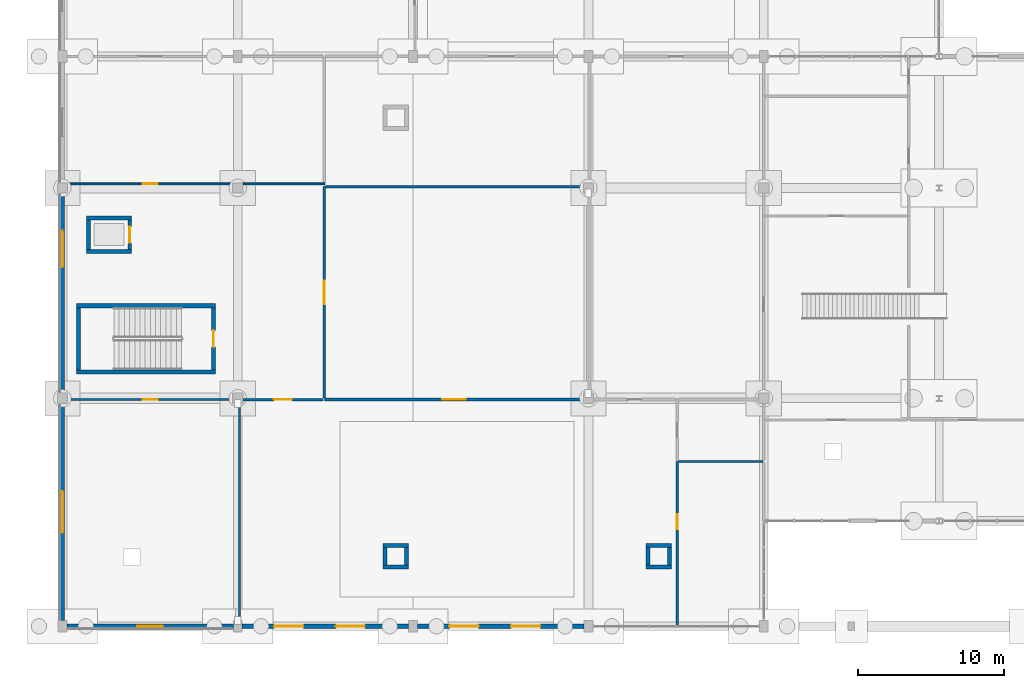
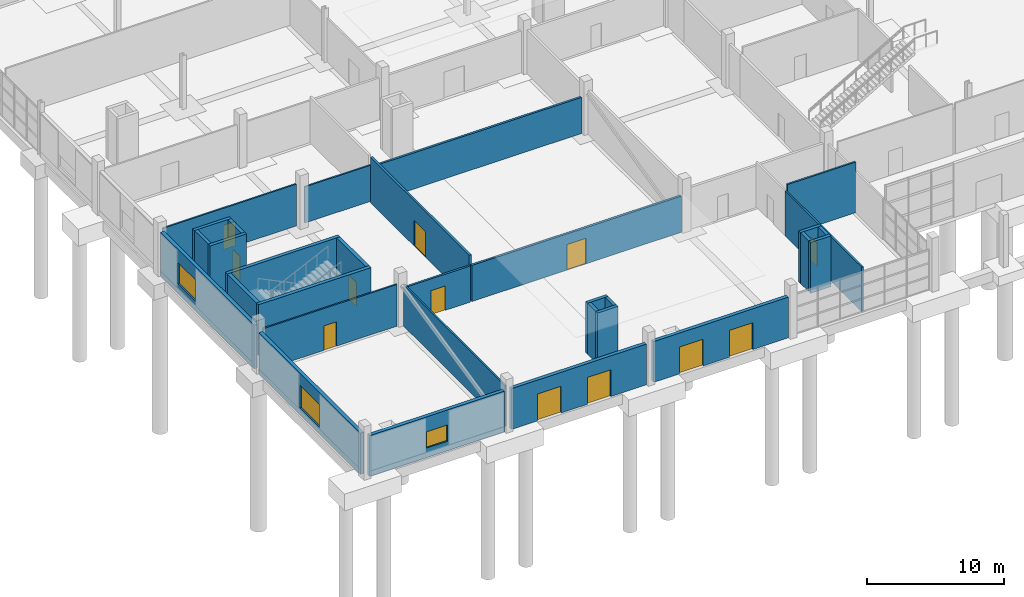
# One storey, part 54 of 82: 31 walls, 12 doors, 3 windows, 15 openings.
"""IFC4 building model written with IfcOpenShell, lengths in metres."""

from ifc_helpers import new_model, si_unit, direction, frame, frame_2d, origin, place, context, subcontext, project, spatial, rectangle, extrude, material, layer, layer_set, type_object, element, fill, save


model = new_model("IFC4")

# Units and contexts
model_context = context("Model", 3, precision=1e-05, world=origin(), true_north=direction((0.0, 1.0)))
body_context = subcontext(model_context, "Body", "Model", "MODEL_VIEW")
ifc_project = project(units=[si_unit("LENGTHUNIT", "METRE"), si_unit("AREAUNIT", "SQUARE_METRE"), si_unit("VOLUMEUNIT", "CUBIC_METRE"), si_unit("PLANEANGLEUNIT", "RADIAN"), si_unit("MASSUNIT", "GRAM", prefix="KILO")], contexts=[model_context])

# Site, building, storey
site_placement = place(None, origin())
site = spatial("IfcSite", under=ifc_project, at=site_placement, CompositionType="ELEMENT")
building_placement = place(site_placement, origin())
building = spatial("IfcBuilding", under=site, at=building_placement, Name="Kelmvaro Bay Concert Hall", CompositionType="ELEMENT")
storey_placement = place(building_placement, origin())
storey = spatial("IfcBuildingStorey", under=building, at=storey_placement, Name="L00", CompositionType="ELEMENT", Elevation=0.0)

# Wall
ifc_material_1 = material(Name="Acoustic Gypsum Board on Galvanised Steel Studs", Category="steel")
ifc_layer_1 = layer(ifc_material_1, 0.1298828125)
ifc_layer_set_1 = layer_set([ifc_layer_1], Name="Acoustic Gypsum Board on Galvanised Steel Studs")
wall_type_1 = type_object("IfcWallType", Name="Classroom Acoustic Partition 130", PredefinedType="PARTITIONING", material=ifc_layer_set_1)
wall_1_placement = place(storey_placement, frame((12.1201171875, 0.407958984375, 0.0), z_axis=(0.0, 0.0, 1.0), x_axis=(0.0, 1.0, 0.0)))
element("IfcWall", 1, at=wall_1_placement, inside=storey, type_object=wall_type_1, Name="L00 Interior Partition PT-L00-0055", PredefinedType="PARTITIONING", context=body_context, shape_type="SweptSolid", body=[
    extrude(rectangle(XDim=14.833984375, YDim=0.1298828125, at=frame_2d((7.4169921875, 0.0))), origin(), (0.0, 0.0, 1.0), 3.68408203125),
])

# Wall, opening, door
wall_2_placement = place(storey_placement, frame((0.35791015625, 15.52001953125, 0.0), z_axis=(0.0, 0.0, 1.0), x_axis=(1.0, 0.0, 0.0)))
wall_2 = element("IfcWall", 2, at=wall_2_placement, inside=storey, type_object=wall_type_1, Name="L00 Interior Partition PT-L00-0059", PredefinedType="PARTITIONING", context=body_context, shape_type="SweptSolid", body=[
    extrude(rectangle(XDim=11.2841796875, YDim=0.1298828125, at=frame_2d((5.64208984375, 0.0))), origin(), (0.0, 0.0, 1.0), 3.72998046875),
])
opening_1_placement = place(wall_2_placement, frame((5.126953125, 0.0, 0.0)))
opening_1 = element("IfcOpeningElement", 3, at=opening_1_placement, cuts=wall_2, Name="Opening ID-ED1", PredefinedType="OPENING", context=body_context, shape_type="SweptSolid", body=[
    extrude(rectangle(XDim=1.030029296875, YDim=2.179931640625, at=frame_2d((0.51513671875, 1.08984375))), frame((0.0, 0.074951171875, 0.0), z_axis=(0.0, -1.0, 0.0), x_axis=(1.0, 0.0, 0.0)), (0.0, 0.0, 1.0), 0.14990234375),
])
ifc_material_2 = material(Name="Oak Veneer and Acoustic Glass", Category="glass")
door_type_1 = type_object("IfcDoorType", Name="Classroom Vision-Lite Door 1030x2180", OperationType="NOTDEFINED", PredefinedType="DOOR", material=ifc_material_2)
door_1_placement = place(opening_1_placement, origin())
door_1 = element("IfcDoor", 4, at=door_1_placement, inside=storey, type_object=door_type_1, Name="L00 Interior Door DR-INT-L00-0042", OperationType="SINGLE_SWING_RIGHT", OverallHeight=2.179931640625, OverallWidth=1.030029296875, PredefinedType="DOOR", context=body_context, shape_type="SweptSolid", body=[
    extrude(rectangle(XDim=1.030029296875, YDim=2.179931640625, at=frame_2d((0.51513671875, 1.08984375))), frame((0.0, 0.02490234375, 0.0), z_axis=(0.0, -1.0, 0.0), x_axis=(1.0, 0.0, 0.0)), (0.0, 0.0, 1.0), 0.050048828125),
])
fill(opening_1, door_1)

wall_3_placement = place(storey_placement, frame((0.35791015625, 30.280029296875, 0.0), z_axis=(0.0, 0.0, 1.0), x_axis=(1.0, 0.0, 0.0)))
wall_3 = element("IfcWall", 5, at=wall_3_placement, inside=storey, type_object=wall_type_1, Name="L00 Interior Partition PT-L00-0060", PredefinedType="PARTITIONING", context=body_context, shape_type="SweptSolid", body=[
    extrude(rectangle(XDim=11.2841796875, YDim=0.1298828125, at=frame_2d((5.64208984375, 0.0))), origin(), (0.0, 0.0, 1.0), 3.72998046875),
])
opening_2_placement = place(wall_3_placement, frame((5.126953125, 0.0, 0.0)))
opening_2 = element("IfcOpeningElement", 6, at=opening_2_placement, cuts=wall_3, Name="Opening ID-ED1", PredefinedType="OPENING", context=body_context, shape_type="SweptSolid", body=[
    extrude(rectangle(XDim=1.030029296875, YDim=2.179931640625, at=frame_2d((0.51513671875, 1.08984375))), frame((0.0, 0.074951171875, 0.0), z_axis=(0.0, -1.0, 0.0), x_axis=(1.0, 0.0, 0.0)), (0.0, 0.0, 1.0), 0.14990234375),
])
door_2_placement = place(opening_2_placement, origin())
door_2 = element("IfcDoor", 7, at=door_2_placement, inside=storey, type_object=door_type_1, Name="L00 Interior Door DR-INT-L00-0043", OperationType="SINGLE_SWING_LEFT", OverallHeight=2.179931640625, OverallWidth=1.030029296875, PredefinedType="DOOR", context=body_context, shape_type="SweptSolid", body=[
    extrude(rectangle(XDim=1.030029296875, YDim=2.179931640625, at=frame_2d((0.51513671875, 1.08984375))), frame((0.0, 0.02490234375, 0.0), z_axis=(0.0, -1.0, 0.0), x_axis=(1.0, 0.0, 0.0)), (0.0, 0.0, 1.0), 0.050048828125),
])
fill(opening_2, door_2)

# Wall
wall_4_placement = place(storey_placement, frame((12.35791015625, 30.280029296875, 0.0), z_axis=(0.0, 0.0, 1.0), x_axis=(1.0, 0.0, 0.0)))
element("IfcWall", 8, at=wall_4_placement, inside=storey, type_object=wall_type_1, Name="L00 Interior Partition PT-L00-0061", PredefinedType="PARTITIONING", context=body_context, shape_type="SweptSolid", body=[
    extrude(rectangle(XDim=5.592041015625, YDim=0.1298828125, at=frame_2d((2.7958984375, 0.0))), origin(), (0.0, 0.0, 1.0), 3.22998046875),
])

# Wall, opening, door
ifc_material_3 = material(Name="Acoustic Gypsum Board on Galvanised Steel Studs", Category="steel")
ifc_layer_2 = layer(ifc_material_3, 0.169921875)
ifc_layer_set_2 = layer_set([ifc_layer_2], Name="Acoustic Gypsum Board on Galvanised Steel Studs")
wall_type_2 = type_object("IfcWallType", Name="Corridor Fire Compartment Partition 170", PredefinedType="PARTITIONING", material=ifc_layer_set_2)
wall_5_placement = place(storey_placement, frame((12.35791015625, 15.52001953125, 0.0), z_axis=(0.0, 0.0, 1.0), x_axis=(1.0, 0.0, 0.0)))
wall_5 = element("IfcWall", 9, at=wall_5_placement, inside=storey, type_object=wall_type_2, Name="L00 Interior Partition PT-L00-0054", PredefinedType="PARTITIONING", context=body_context, shape_type="SweptSolid", body=[
    extrude(rectangle(XDim=5.462158203125, YDim=0.169921875, at=frame_2d((2.73095703125, 0.0))), origin(), (0.0, 0.0, 1.0), 3.22998046875),
])
opening_3_placement = place(wall_5_placement, frame((2.12109375, 0.0, 0.0)))
opening_3 = element("IfcOpeningElement", 10, at=opening_3_placement, cuts=wall_5, Name="Opening ID-ST2", PredefinedType="OPENING", context=body_context, shape_type="SweptSolid", body=[
    extrude(rectangle(XDim=1.219970703125, YDim=2.179931640625, at=frame_2d((0.60986328125, 1.08984375))), frame((0.0, 0.094970703125, 0.0), z_axis=(0.0, -1.0, 0.0), x_axis=(1.0, 0.0, 0.0)), (0.0, 0.0, 1.0), 0.18994140625),
])
ifc_material_4 = material(Name="Acoustic Oak and Fire Glass", Category="glass")
door_type_2 = type_object("IfcDoorType", Name="Core Lobby Smoke Control Door 1220x2180", OperationType="NOTDEFINED", PredefinedType="DOOR", material=ifc_material_4)
door_3_placement = place(opening_3_placement, origin())
door_3 = element("IfcDoor", 11, at=door_3_placement, inside=storey, type_object=door_type_2, Name="L00 Interior Door DR-INT-L00-0038", OperationType="SINGLE_SWING_RIGHT", OverallHeight=2.179931640625, OverallWidth=1.219970703125, PredefinedType="DOOR", context=body_context, shape_type="SweptSolid", body=[
    extrude(rectangle(XDim=1.219970703125, YDim=2.179931640625, at=frame_2d((0.60986328125, 1.08984375))), frame((0.0, 0.02490234375, 0.0), z_axis=(0.0, -1.0, 0.0), x_axis=(1.0, 0.0, 0.0)), (0.0, 0.0, 1.0), 0.050048828125),
])
fill(opening_3, door_3)

# Wall, opening, window
ifc_material_5 = material(Name="Precast Concrete C40/50", Category="concrete")
ifc_layer_3 = layer(ifc_material_5, 0.300048828125)
ifc_layer_set_3 = layer_set([ifc_layer_3], Name="Precast Concrete C40/50")
wall_type_3 = type_object("IfcWallType", Name="Education Pavilion Precast Wall 300", PredefinedType="SOLIDWALL", material=ifc_layer_set_3)
wall_6_placement = place(storey_placement, frame((11.699951171875, 0.0, 0.0), z_axis=(0.0, 0.0, 1.0), x_axis=(-1.0, 0.0, 0.0)))
wall_6 = element("IfcWall", 12, at=wall_6_placement, inside=storey, type_object=wall_type_3, Name="L00 Exterior Wall EW-L00-0164", PredefinedType="SOLIDWALL", context=body_context, shape_type="SweptSolid", body=[
    extrude(rectangle(XDim=11.39990234375, YDim=0.300048828125, at=frame_2d((5.699951171875, 0.0))), origin(), (0.0, 0.0, 1.0), 3.639892578125),
])
opening_4_placement = place(wall_6_placement, frame((4.824951171875, 0.0, 0.85009765625)))
opening_4 = element("IfcOpeningElement", 13, at=opening_4_placement, cuts=wall_6, Name="Opening WN-20", PredefinedType="OPENING", context=body_context, shape_type="SweptSolid", body=[
    extrude(rectangle(XDim=1.75, YDim=1.449951171875, at=frame_2d((0.875, 0.72509765625))), frame((0.0, 0.159912109375, 0.0), z_axis=(0.0, -1.0, 0.0), x_axis=(1.0, 0.0, 0.0)), (0.0, 0.0, 1.0), 0.320068359375),
])
ifc_material_6 = material(Name="Thermally Broken Aluminium and Acoustic Low-E Glass", Category="aluminium")
window_type_1 = type_object("IfcWindowType", Name="Media Edit Suite Window 1750x1450", PartitioningType="SINGLE_PANEL", PredefinedType="WINDOW", material=ifc_material_6)
window_1_placement = place(opening_4_placement, origin())
window_1 = element("IfcWindow", 14, at=window_1_placement, inside=storey, type_object=window_type_1, Name="L00 Facade Window WN-L00-0075", OverallHeight=1.449951171875, OverallWidth=1.75, PartitioningType="SINGLE_PANEL", PredefinedType="WINDOW", context=body_context, shape_type="SweptSolid", body=[
    extrude(rectangle(XDim=1.75, YDim=1.449951171875, at=frame_2d((0.875, 0.72509765625))), frame((0.0, 0.030029296875, 0.0), z_axis=(0.0, -1.0, 0.0), x_axis=(1.0, 0.0, 0.0)), (0.0, 0.0, 1.0), 0.06005859375),
])
fill(opening_4, window_1)

# Wall, openings, doors
wall_7_placement = place(storey_placement, frame((23.699951171875, 0.0, 0.0), z_axis=(0.0, 0.0, 1.0), x_axis=(-1.0, 0.0, 0.0)))
wall_7 = element("IfcWall", 15, at=wall_7_placement, inside=storey, type_object=wall_type_3, Name="L00 Exterior Wall EW-L00-0165", PredefinedType="SOLIDWALL", context=body_context, shape_type="SweptSolid", body=[
    extrude(rectangle(XDim=11.39990234375, YDim=0.300048828125, at=frame_2d((5.699951171875, 0.0))), origin(), (0.0, 0.0, 1.0), 3.639892578125),
])
opening_5_placement = place(wall_7_placement, frame((2.989990234375, 0.0, 0.0)))
opening_5 = element("IfcOpeningElement", 16, at=opening_5_placement, cuts=wall_7, Name="Opening ED-200", PredefinedType="OPENING", context=body_context, shape_type="SweptSolid", body=[
    extrude(rectangle(XDim=2.0, YDim=2.39990234375, at=frame_2d((1.0, 1.199951171875))), frame((0.0, 0.159912109375, 0.0), z_axis=(0.0, -1.0, 0.0), x_axis=(1.0, 0.0, 0.0)), (0.0, 0.0, 1.0), 0.320068359375),
])
opening_6_placement = place(wall_7_placement, frame((7.2080078125, 0.0, 0.0)))
opening_6 = element("IfcOpeningElement", 17, at=opening_6_placement, cuts=wall_7, Name="Opening ED-200", PredefinedType="OPENING", context=body_context, shape_type="SweptSolid", body=[
    extrude(rectangle(XDim=2.0, YDim=2.39990234375, at=frame_2d((1.0, 1.199951171875))), frame((0.0, 0.159912109375, 0.0), z_axis=(0.0, -1.0, 0.0), x_axis=(1.0, 0.0, 0.0)), (0.0, 0.0, 1.0), 0.320068359375),
])
ifc_material_7 = material(Name="Thermally Broken Aluminium and Laminated Safety Glass", Category="aluminium")
door_type_3 = type_object("IfcDoorType", Name="Waterfront Primary Exit Double Door 2000x2400", OperationType="NOTDEFINED", PredefinedType="DOOR", material=ifc_material_7)
door_4_placement = place(opening_5_placement, origin())
door_4 = element("IfcDoor", 18, at=door_4_placement, inside=storey, type_object=door_type_3, Name="L00 Exterior Door DR-EXT-L00-010", OperationType="DOUBLE_DOOR_SINGLE_SWING", OverallHeight=2.39990234375, OverallWidth=2.0, PredefinedType="DOOR", context=body_context, shape_type="SweptSolid", body=[
    extrude(rectangle(XDim=2.0, YDim=2.39990234375, at=frame_2d((1.0, 1.199951171875))), frame((0.0, 0.02490234375, 0.0), z_axis=(0.0, -1.0, 0.0), x_axis=(1.0, 0.0, 0.0)), (0.0, 0.0, 1.0), 0.050048828125),
])
fill(opening_5, door_4)
door_5_placement = place(opening_6_placement, origin())
door_5 = element("IfcDoor", 19, at=door_5_placement, inside=storey, type_object=door_type_3, Name="L00 Exterior Door DR-EXT-L00-011", OperationType="DOUBLE_DOOR_SINGLE_SWING", OverallHeight=2.39990234375, OverallWidth=2.0, PredefinedType="DOOR", context=body_context, shape_type="SweptSolid", body=[
    extrude(rectangle(XDim=2.0, YDim=2.39990234375, at=frame_2d((1.0, 1.199951171875))), frame((0.0, 0.02490234375, 0.0), z_axis=(0.0, -1.0, 0.0), x_axis=(1.0, 0.0, 0.0)), (0.0, 0.0, 1.0), 0.050048828125),
])
fill(opening_6, door_5)

wall_8_placement = place(storey_placement, frame((35.699951171875, 0.0, 0.0), z_axis=(0.0, 0.0, 1.0), x_axis=(-1.0, 0.0, 0.0)))
wall_8 = element("IfcWall", 20, at=wall_8_placement, inside=storey, type_object=wall_type_3, Name="L00 Exterior Wall EW-L00-0166", PredefinedType="SOLIDWALL", context=body_context, shape_type="SweptSolid", body=[
    extrude(rectangle(XDim=11.39990234375, YDim=0.300048828125, at=frame_2d((5.699951171875, 0.0))), origin(), (0.0, 0.0, 1.0), 3.639892578125),
])
opening_7_placement = place(wall_8_placement, frame((2.989990234375, 0.0, 0.0)))
opening_7 = element("IfcOpeningElement", 21, at=opening_7_placement, cuts=wall_8, Name="Opening ED-200", PredefinedType="OPENING", context=body_context, shape_type="SweptSolid", body=[
    extrude(rectangle(XDim=2.0, YDim=2.39990234375, at=frame_2d((1.0, 1.199951171875))), frame((0.0, 0.159912109375, 0.0), z_axis=(0.0, -1.0, 0.0), x_axis=(1.0, 0.0, 0.0)), (0.0, 0.0, 1.0), 0.320068359375),
])
opening_8_placement = place(wall_8_placement, frame((7.2080078125, 0.0, 0.0)))
opening_8 = element("IfcOpeningElement", 22, at=opening_8_placement, cuts=wall_8, Name="Opening ED-200", PredefinedType="OPENING", context=body_context, shape_type="SweptSolid", body=[
    extrude(rectangle(XDim=2.0, YDim=2.39990234375, at=frame_2d((1.0, 1.199951171875))), frame((0.0, 0.159912109375, 0.0), z_axis=(0.0, -1.0, 0.0), x_axis=(1.0, 0.0, 0.0)), (0.0, 0.0, 1.0), 0.320068359375),
])
door_6_placement = place(opening_7_placement, origin())
door_6 = element("IfcDoor", 23, at=door_6_placement, inside=storey, type_object=door_type_3, Name="L00 Exterior Door DR-EXT-L00-012", OperationType="DOUBLE_DOOR_SINGLE_SWING", OverallHeight=2.39990234375, OverallWidth=2.0, PredefinedType="DOOR", context=body_context, shape_type="SweptSolid", body=[
    extrude(rectangle(XDim=2.0, YDim=2.39990234375, at=frame_2d((1.0, 1.199951171875))), frame((0.0, 0.02490234375, 0.0), z_axis=(0.0, -1.0, 0.0), x_axis=(1.0, 0.0, 0.0)), (0.0, 0.0, 1.0), 0.050048828125),
])
fill(opening_7, door_6)
door_7_placement = place(opening_8_placement, origin())
door_7 = element("IfcDoor", 24, at=door_7_placement, inside=storey, type_object=door_type_3, Name="L00 Exterior Door DR-EXT-L00-013", OperationType="DOUBLE_DOOR_SINGLE_SWING", OverallHeight=2.39990234375, OverallWidth=2.0, PredefinedType="DOOR", context=body_context, shape_type="SweptSolid", body=[
    extrude(rectangle(XDim=2.0, YDim=2.39990234375, at=frame_2d((1.0, 1.199951171875))), frame((0.0, 0.02490234375, 0.0), z_axis=(0.0, -1.0, 0.0), x_axis=(1.0, 0.0, 0.0)), (0.0, 0.0, 1.0), 0.050048828125),
])
fill(opening_8, door_7)

# Wall, opening, window
wall_9_placement = place(storey_placement, frame((0.0, 0.39990234375, 0.0), z_axis=(0.0, 0.0, 1.0), x_axis=(0.0, 1.0, 0.0)))
wall_9 = element("IfcWall", 25, at=wall_9_placement, inside=storey, type_object=wall_type_3, Name="L00 Exterior Wall EW-L00-0167", PredefinedType="SOLIDWALL", context=body_context, shape_type="SweptSolid", body=[
    extrude(rectangle(XDim=14.85009765625, YDim=0.300048828125, at=frame_2d((7.425048828125, 0.0))), origin(), (0.0, 0.0, 1.0), 3.68408203125),
])
opening_9_placement = place(wall_9_placement, frame((6.0, 0.0, 0.60009765625)))
opening_9 = element("IfcOpeningElement", 26, at=opening_9_placement, cuts=wall_9, Name="Opening WN-21", PredefinedType="OPENING", context=body_context, shape_type="SweptSolid", body=[
    extrude(rectangle(XDim=2.85009765625, YDim=2.0, at=frame_2d((1.425048828125, 1.0))), frame((0.0, 0.159912109375, 0.0), z_axis=(0.0, -1.0, 0.0), x_axis=(1.0, 0.0, 0.0)), (0.0, 0.0, 1.0), 0.320068359375),
])
ifc_material_8 = material(Name="Thermally Broken Aluminium and Acoustic Low-E Glass", Category="aluminium")
window_type_2 = type_object("IfcWindowType", Name="Board Salon Waterfront Window 2850x2000", PartitioningType="SINGLE_PANEL", PredefinedType="WINDOW", material=ifc_material_8)
window_2_placement = place(opening_9_placement, origin())
window_2 = element("IfcWindow", 27, at=window_2_placement, inside=storey, type_object=window_type_2, Name="L00 Facade Window WN-L00-0076", OverallHeight=2.0, OverallWidth=2.85009765625, PartitioningType="SINGLE_PANEL", PredefinedType="WINDOW", context=body_context, shape_type="SweptSolid", body=[
    extrude(rectangle(XDim=2.85009765625, YDim=2.0, at=frame_2d((1.425048828125, 1.0))), frame((0.0, 0.030029296875, 0.0), z_axis=(0.0, -1.0, 0.0), x_axis=(1.0, 0.0, 0.0)), (0.0, 0.0, 1.0), 0.06005859375),
])
fill(opening_9, window_2)

wall_10_placement = place(storey_placement, frame((0.0, 15.949951171875, 0.0), z_axis=(0.0, 0.0, 1.0), x_axis=(0.0, 1.0, 0.0)))
wall_10 = element("IfcWall", 28, at=wall_10_placement, inside=storey, type_object=wall_type_3, Name="L00 Exterior Wall EW-L00-0168", PredefinedType="SOLIDWALL", context=body_context, shape_type="SweptSolid", body=[
    extrude(rectangle(XDim=13.699951171875, YDim=0.300048828125, at=frame_2d((6.85009765625, 0.0))), origin(), (0.0, 0.0, 1.0), 3.9189453125),
])
opening_10_placement = place(wall_10_placement, frame((8.614013671875, 0.0, 0.85009765625)))
opening_10 = element("IfcOpeningElement", 29, at=opening_10_placement, cuts=wall_10, Name="Opening WN-22", PredefinedType="OPENING", context=body_context, shape_type="SweptSolid", body=[
    extrude(rectangle(XDim=2.5, YDim=1.89990234375, at=frame_2d((1.25, 0.949951171875))), frame((0.0, 0.159912109375, 0.0), z_axis=(0.0, -1.0, 0.0), x_axis=(1.0, 0.0, 0.0)), (0.0, 0.0, 1.0), 0.320068359375),
])
ifc_material_9 = material(Name="Thermally Broken Aluminium and Acoustic Low-E Glass", Category="aluminium")
window_type_3 = type_object("IfcWindowType", Name="Conductor Suite Bay Window 2500x1900", PartitioningType="SINGLE_PANEL", PredefinedType="WINDOW", material=ifc_material_9)
window_3_placement = place(opening_10_placement, origin())
window_3 = element("IfcWindow", 30, at=window_3_placement, inside=storey, type_object=window_type_3, Name="L00 Facade Window WN-L00-0077", OverallHeight=1.89990234375, OverallWidth=2.5, PartitioningType="SINGLE_PANEL", PredefinedType="WINDOW", context=body_context, shape_type="SweptSolid", body=[
    extrude(rectangle(XDim=2.5, YDim=1.89990234375, at=frame_2d((1.25, 0.949951171875))), frame((0.0, 0.030029296875, 0.0), z_axis=(0.0, -1.0, 0.0), x_axis=(1.0, 0.0, 0.0)), (0.0, 0.0, 1.0), 0.06005859375),
])
fill(opening_10, window_3)

# Wall, opening, door
ifc_material_10 = material(Name="Acoustic Gypsum Board on Galvanised Steel Studs", Category="steel")
ifc_layer_4 = layer(ifc_material_10, 0.179931640625)
ifc_layer_set_4 = layer_set([ifc_layer_4], Name="Acoustic Gypsum Board on Galvanised Steel Studs")
wall_type_4 = type_object("IfcWallType", Name="Rehearsal Suite Acoustic Partition 180", PredefinedType="PARTITIONING", material=ifc_layer_set_4)
wall_11_placement = place(storey_placement, frame((17.949951171875, 15.52001953125, 0.0), z_axis=(0.0, 0.0, 1.0), x_axis=(1.0, 0.0, 0.0)))
wall_11 = element("IfcWall", 31, at=wall_11_placement, inside=storey, type_object=wall_type_4, Name="L00 Interior Partition PT-L00-0050", PredefinedType="PARTITIONING", context=body_context, shape_type="SweptSolid", body=[
    extrude(rectangle(XDim=17.692138671875, YDim=0.179931640625, at=frame_2d((8.84619140625, 0.0))), origin(), (0.0, 0.0, 1.0), 3.22998046875),
])
opening_11_placement = place(wall_11_placement, frame((8.035888671875, 0.0, 0.0)))
opening_11 = element("IfcOpeningElement", 32, at=opening_11_placement, cuts=wall_11, Name="Opening ID-AC3", PredefinedType="OPENING", context=body_context, shape_type="SweptSolid", body=[
    extrude(rectangle(XDim=1.6201171875, YDim=2.280029296875, at=frame_2d((0.81005859375, 1.14013671875))), frame((0.0, 0.099853515625, 0.0), z_axis=(0.0, -1.0, 0.0), x_axis=(1.0, 0.0, 0.0)), (0.0, 0.0, 1.0), 0.199951171875),
])
ifc_material_11 = material(Name="Solid White Oak Acoustic Leaf")
door_type_4 = type_object("IfcDoorType", Name="Choral Studio Acoustic Pair Door 1620x2280", OperationType="NOTDEFINED", PredefinedType="DOOR", material=ifc_material_11)
door_8_placement = place(opening_11_placement, origin())
door_8 = element("IfcDoor", 33, at=door_8_placement, inside=storey, type_object=door_type_4, Name="L00 Interior Door DR-INT-L00-0036", OperationType="DOUBLE_DOOR_SINGLE_SWING", OverallHeight=2.280029296875, OverallWidth=1.6201171875, PredefinedType="DOOR", context=body_context, shape_type="SweptSolid", body=[
    extrude(rectangle(XDim=1.6201171875, YDim=2.280029296875, at=frame_2d((0.81005859375, 1.14013671875))), frame((0.0, 0.02490234375, 0.0), z_axis=(0.0, -1.0, 0.0), x_axis=(1.0, 0.0, 0.0)), (0.0, 0.0, 1.0), 0.050048828125),
])
fill(opening_11, door_8)

wall_12_placement = place(storey_placement, frame((17.919921875, 15.6201171875, 0.0), z_axis=(0.0, 0.0, 1.0), x_axis=(0.0, 1.0, 0.0)))
wall_12 = element("IfcWall", 34, at=wall_12_placement, inside=storey, type_object=wall_type_4, Name="L00 Interior Partition PT-L00-0051", PredefinedType="PARTITIONING", context=body_context, shape_type="SweptSolid", body=[
    extrude(rectangle(XDim=14.46484375, YDim=0.179931640625, at=frame_2d((7.232421875, 0.0))), origin(), (0.0, 0.0, 1.0), 4.068115234375),
])
opening_12_placement = place(wall_12_placement, frame((6.422607421875, 0.0, 0.0)))
opening_12 = element("IfcOpeningElement", 35, at=opening_12_placement, cuts=wall_12, Name="Opening ID-AC3", PredefinedType="OPENING", context=body_context, shape_type="SweptSolid", body=[
    extrude(rectangle(XDim=1.6201171875, YDim=2.280029296875, at=frame_2d((0.81005859375, 1.14013671875))), frame((0.0, 0.099853515625, 0.0), z_axis=(0.0, -1.0, 0.0), x_axis=(1.0, 0.0, 0.0)), (0.0, 0.0, 1.0), 0.199951171875),
])
door_9_placement = place(opening_12_placement, origin())
door_9 = element("IfcDoor", 36, at=door_9_placement, inside=storey, type_object=door_type_4, Name="L00 Interior Door DR-INT-L00-0037", OperationType="DOUBLE_DOOR_SINGLE_SWING", OverallHeight=2.280029296875, OverallWidth=1.6201171875, PredefinedType="DOOR", context=body_context, shape_type="SweptSolid", body=[
    extrude(rectangle(XDim=1.6201171875, YDim=2.280029296875, at=frame_2d((0.81005859375, 1.14013671875))), frame((0.0, 0.02490234375, 0.0), z_axis=(0.0, -1.0, 0.0), x_axis=(1.0, 0.0, 0.0)), (0.0, 0.0, 1.0), 0.050048828125),
])
fill(opening_12, door_9)

# Walls
wall_13_placement = place(storey_placement, frame((18.02001953125, 30.080078125, 0.0), z_axis=(0.0, 0.0, 1.0), x_axis=(1.0, 0.0, 0.0)))
element("IfcWall", 37, at=wall_13_placement, inside=storey, type_object=wall_type_4, Name="L00 Interior Partition PT-L00-0052", PredefinedType="PARTITIONING", context=body_context, shape_type="SweptSolid", body=[
    extrude(rectangle(XDim=17.6220703125, YDim=0.179931640625, at=frame_2d((8.81103515625, 0.0))), origin(), (0.0, 0.0, 1.0), 3.22998046875),
])
ifc_material_12 = material(Name="Concrete C40/50", Category="concrete")
ifc_layer_5 = layer(ifc_material_12, 0.27001953125)
ifc_layer_set_5 = layer_set([ifc_layer_5], Name="Concrete C40/50")
wall_type_5 = type_object("IfcWallType", Name="Secondary Shaft Shear Wall 270", PredefinedType="SHEAR", material=ifc_layer_set_5)
for number, where, z_axis, x_axis, name in (
    (38, (21.929931640625, 4.06494140625, 0.0), (0.0, 0.0, 1.0), (1.0, 0.0, 0.0), "L00 Service Riser Shaft Wall 013-S"),
    (39, (21.929931640625, 5.534912109375, 0.0), (0.0, 0.0, 1.0), (1.0, 0.0, 0.0), "L00 Service Riser Shaft Wall 014-N"),
):
    element("IfcWall", number, at=place(storey_placement, frame(where, z_axis=z_axis, x_axis=x_axis)), inside=storey, type_object=wall_type_5, Name=name, PredefinedType="SHEAR", context=body_context, shape_type="SweptSolid", body=[
        extrude(rectangle(XDim=1.739990234375, YDim=0.27001953125, at=frame_2d((0.8701171875, 0.0))), origin(), (0.0, 0.0, 1.0), 4.550048828125),
    ])
for number, where, z_axis, x_axis, name in (
    (40, (22.06494140625, 4.199951171875, 0.0), (0.0, 0.0, 1.0), (0.0, 1.0, 0.0), "L00 Service Riser Shaft Wall 015-W"),
    (41, (23.534912109375, 4.199951171875, 0.0), (0.0, 0.0, 1.0), (0.0, 1.0, 0.0), "L00 Service Riser Shaft Wall 016-E"),
):
    element("IfcWall", number, at=place(storey_placement, frame(where, z_axis=z_axis, x_axis=x_axis)), inside=storey, type_object=wall_type_5, Name=name, PredefinedType="SHEAR", context=body_context, shape_type="SweptSolid", body=[
        extrude(rectangle(XDim=1.199951171875, YDim=0.27001953125, at=frame_2d((0.60009765625, 0.0))), origin(), (0.0, 0.0, 1.0), 4.550048828125),
    ])
for number, where, z_axis, x_axis, name in (
    (42, (39.929931640625, 4.06494140625, 0.0), (0.0, 0.0, 1.0), (1.0, 0.0, 0.0), "L00 Service Riser Shaft Wall 021-S"),
    (43, (39.929931640625, 5.534912109375, 0.0), (0.0, 0.0, 1.0), (1.0, 0.0, 0.0), "L00 Service Riser Shaft Wall 022-N"),
):
    element("IfcWall", number, at=place(storey_placement, frame(where, z_axis=z_axis, x_axis=x_axis)), inside=storey, type_object=wall_type_5, Name=name, PredefinedType="SHEAR", context=body_context, shape_type="SweptSolid", body=[
        extrude(rectangle(XDim=1.739990234375, YDim=0.27001953125, at=frame_2d((0.8701171875, 0.0))), origin(), (0.0, 0.0, 1.0), 4.550048828125),
    ])
for number, where, z_axis, x_axis, name in (
    (44, (40.06494140625, 4.199951171875, 0.0), (0.0, 0.0, 1.0), (0.0, 1.0, 0.0), "L00 Service Riser Shaft Wall 023-W"),
    (45, (41.534912109375, 4.199951171875, 0.0), (0.0, 0.0, 1.0), (0.0, 1.0, 0.0), "L00 Service Riser Shaft Wall 024-E"),
):
    element("IfcWall", number, at=place(storey_placement, frame(where, z_axis=z_axis, x_axis=x_axis)), inside=storey, type_object=wall_type_5, Name=name, PredefinedType="SHEAR", context=body_context, shape_type="SweptSolid", body=[
        extrude(rectangle(XDim=1.199951171875, YDim=0.27001953125, at=frame_2d((0.60009765625, 0.0))), origin(), (0.0, 0.0, 1.0), 4.550048828125),
    ])
for number, where, z_axis, x_axis, name in (
    (46, (1.655029296875, 25.6650390625, 0.0), (0.0, 0.0, 1.0), (1.0, 0.0, 0.0), "L00 LF-06 Lift Shaft Wall S"),
    (47, (1.655029296875, 27.93505859375, 0.0), (0.0, 0.0, 1.0), (1.0, 0.0, 0.0), "L00 LF-06 Lift Shaft Wall N"),
):
    element("IfcWall", number, at=place(storey_placement, frame(where, z_axis=z_axis, x_axis=x_axis)), inside=storey, type_object=wall_type_5, Name=name, PredefinedType="SHEAR", context=body_context, shape_type="SweptSolid", body=[
        extrude(rectangle(XDim=3.090087890625, YDim=0.27001953125, at=frame_2d((1.544921875, 0.0))), origin(), (0.0, 0.0, 1.0), 4.550048828125),
    ])
wall_14_placement = place(storey_placement, frame((1.7900390625, 25.800048828125, 0.0), z_axis=(0.0, 0.0, 1.0), x_axis=(0.0, 1.0, 0.0)))
element("IfcWall", 48, at=wall_14_placement, inside=storey, type_object=wall_type_5, Name="L00 LF-06 Lift Shaft Wall W", PredefinedType="SHEAR", context=body_context, shape_type="SweptSolid", body=[
    extrude(rectangle(XDim=2.0, YDim=0.27001953125, at=frame_2d((1.0, 0.0))), origin(), (0.0, 0.0, 1.0), 4.550048828125),
])

# Wall, opening, door
wall_15_placement = place(storey_placement, frame((4.610107421875, 25.800048828125, 0.0), z_axis=(0.0, 0.0, 1.0), x_axis=(0.0, 1.0, 0.0)))
wall_15 = element("IfcWall", 49, at=wall_15_placement, inside=storey, type_object=wall_type_5, Name="L00 LF-06 Lift Shaft Wall E", PredefinedType="SHEAR", context=body_context, shape_type="SweptSolid", body=[
    extrude(rectangle(XDim=2.0, YDim=0.27001953125, at=frame_2d((1.0, 0.0))), origin(), (0.0, 0.0, 1.0), 4.550048828125),
])
opening_13_placement = place(wall_15_placement, frame((0.43994140625, 0.0, 0.0)))
opening_13 = element("IfcOpeningElement", 50, at=opening_13_placement, cuts=wall_15, Name="Opening LD-112", PredefinedType="OPENING", context=body_context, shape_type="SweptSolid", body=[
    extrude(rectangle(XDim=1.1201171875, YDim=2.14990234375, at=frame_2d((0.56005859375, 1.074951171875))), frame((0.0, 0.14501953125, 0.0), z_axis=(0.0, -1.0, 0.0), x_axis=(1.0, 0.0, 0.0)), (0.0, 0.0, 1.0), 0.2900390625),
])
ifc_material_13 = material(Name="Brushed Stainless Steel 316", Category="steel")
door_type_5 = type_object("IfcDoorType", Name="Passenger Lift Sliding Landing Door 1120x2150", OperationType="NOTDEFINED", PredefinedType="DOOR", material=ifc_material_13)
door_10_placement = place(opening_13_placement, origin())
door_10 = element("IfcDoor", 51, at=door_10_placement, inside=storey, type_object=door_type_5, Name="L00 Lift Landing Door LF-06", OperationType="SLIDING_TO_LEFT", OverallHeight=2.14990234375, OverallWidth=1.1201171875, PredefinedType="DOOR", context=body_context, shape_type="SweptSolid", body=[
    extrude(rectangle(XDim=1.1201171875, YDim=2.14990234375, at=frame_2d((0.56005859375, 1.074951171875))), frame((0.0, 0.02490234375, 0.0), z_axis=(0.0, -1.0, 0.0), x_axis=(1.0, 0.0, 0.0)), (0.0, 0.0, 1.0), 0.050048828125),
])
fill(opening_13, door_10)

# Walls
ifc_material_14 = material(Name="Concrete C40/50", Category="concrete")
ifc_layer_6 = layer(ifc_material_14, 0.2900390625)
ifc_layer_set_6 = layer_set([ifc_layer_6], Name="Concrete C40/50")
wall_type_6 = type_object("IfcWallType", Name="Stair and Lift Core Shear Wall 290", PredefinedType="SHEAR", material=ifc_layer_set_6)
for number, where, z_axis, x_axis, name in (
    (52, (0.9599609375, 17.405029296875, 0.0), (0.0, 0.0, 1.0), (1.0, 0.0, 0.0), "L00 ST-08 Core Shear Wall S"),
    (53, (0.9599609375, 21.945068359375, 0.0), (0.0, 0.0, 1.0), (1.0, 0.0, 0.0), "L00 ST-08 Core Shear Wall N"),
):
    element("IfcWall", number, at=place(storey_placement, frame(where, z_axis=z_axis, x_axis=x_axis)), inside=storey, type_object=wall_type_6, Name=name, PredefinedType="SHEAR", context=body_context, shape_type="SweptSolid", body=[
        extrude(rectangle(XDim=9.530029296875, YDim=0.2900390625, at=frame_2d((4.76513671875, 0.0))), origin(), (0.0, 0.0, 1.0), 4.550048828125),
    ])
wall_16_placement = place(storey_placement, frame((1.10498046875, 17.550048828125, 0.0), z_axis=(0.0, 0.0, 1.0), x_axis=(0.0, 1.0, 0.0)))
element("IfcWall", 54, at=wall_16_placement, inside=storey, type_object=wall_type_6, Name="L00 ST-08 Core Shear Wall W", PredefinedType="SHEAR", context=body_context, shape_type="SweptSolid", body=[
    extrude(rectangle(XDim=4.25, YDim=0.2900390625, at=frame_2d((2.125, 0.0))), origin(), (0.0, 0.0, 1.0), 4.550048828125),
])

# Wall, opening, door
wall_17_placement = place(storey_placement, frame((10.344970703125, 17.550048828125, 0.0), z_axis=(0.0, 0.0, 1.0), x_axis=(0.0, 1.0, 0.0)))
wall_17 = element("IfcWall", 55, at=wall_17_placement, inside=storey, type_object=wall_type_6, Name="L00 ST-08 Core Shear Wall E", PredefinedType="SHEAR", context=body_context, shape_type="SweptSolid", body=[
    extrude(rectangle(XDim=4.25, YDim=0.2900390625, at=frame_2d((2.125, 0.0))), origin(), (0.0, 0.0, 1.0), 4.550048828125),
])
opening_14_placement = place(wall_17_placement, frame((1.550048828125, 0.0, 0.0)))
opening_14 = element("IfcOpeningElement", 56, at=opening_14_placement, cuts=wall_17, Name="Opening ID-ST1", PredefinedType="OPENING", context=body_context, shape_type="SweptSolid", body=[
    extrude(rectangle(XDim=1.14990234375, YDim=2.14990234375, at=frame_2d((0.574951171875, 1.074951171875))), frame((0.0, 0.155029296875, 0.0), z_axis=(0.0, -1.0, 0.0), x_axis=(1.0, 0.0, 0.0)), (0.0, 0.0, 1.0), 0.31005859375),
])
ifc_material_15 = material(Name="Fire-Rated Galvanised Steel", Category="steel")
door_type_6 = type_object("IfcDoorType", Name="Exit Stair Fire Door 1150x2150", OperationType="NOTDEFINED", PredefinedType="DOOR", material=ifc_material_15)
door_11_placement = place(opening_14_placement, origin())
door_11 = element("IfcDoor", 57, at=door_11_placement, inside=storey, type_object=door_type_6, Name="L00 ST-08 Stair Fire Door", OperationType="SINGLE_SWING_RIGHT", OverallHeight=2.14990234375, OverallWidth=1.14990234375, PredefinedType="DOOR", context=body_context, shape_type="SweptSolid", body=[
    extrude(rectangle(XDim=1.14990234375, YDim=2.14990234375, at=frame_2d((0.574951171875, 1.074951171875))), frame((0.0, 0.02490234375, 0.0), z_axis=(0.0, -1.0, 0.0), x_axis=(1.0, 0.0, 0.0)), (0.0, 0.0, 1.0), 0.050048828125),
])
fill(opening_14, door_11)

ifc_material_16 = material(Name="Acoustic Gypsum Board on Galvanised Steel Studs", Category="steel")
ifc_layer_7 = layer(ifc_material_16, 0.14990234375)
ifc_layer_set_7 = layer_set([ifc_layer_7], Name="Acoustic Gypsum Board on Galvanised Steel Studs")
wall_type_7 = type_object("IfcWallType", Name="Wet Area Moisture-Resistant Partition 150", PredefinedType="PARTITIONING", material=ifc_layer_set_7)
wall_18_placement = place(storey_placement, frame((42.080078125, 0.050048828125, 0.0), z_axis=(0.0, 0.0, 1.0), x_axis=(0.0, 1.0, 0.0)))
wall_18 = element("IfcWall", 58, at=wall_18_placement, inside=storey, type_object=wall_type_7, Name="L00 Interior Partition PT-L00-0056", PredefinedType="PARTITIONING", context=body_context, shape_type="SweptSolid", body=[
    extrude(rectangle(XDim=11.23486328125, YDim=0.14990234375, at=frame_2d((5.617431640625, 0.0))), origin(), (0.0, 0.0, 1.0), 3.986083984375),
])
opening_15_placement = place(wall_18_placement, frame((6.595703125, 0.0, 0.0)))
opening_15 = element("IfcOpeningElement", 59, at=opening_15_placement, cuts=wall_18, Name="Opening ID-WC2", PredefinedType="OPENING", context=body_context, shape_type="SweptSolid", body=[
    extrude(rectangle(XDim=1.010009765625, YDim=2.10009765625, at=frame_2d((0.5048828125, 1.050048828125))), frame((0.0, 0.0849609375, 0.0), z_axis=(0.0, -1.0, 0.0), x_axis=(1.0, 0.0, 0.0)), (0.0, 0.0, 1.0), 0.169921875),
])
ifc_material_17 = material(Name="High-Pressure Laminate Core")
door_type_7 = type_object("IfcDoorType", Name="Public Restroom Vestibule Door 1010x2100", OperationType="NOTDEFINED", PredefinedType="DOOR", material=ifc_material_17)
door_12_placement = place(opening_15_placement, origin())
door_12 = element("IfcDoor", 60, at=door_12_placement, inside=storey, type_object=door_type_7, Name="L00 Interior Door DR-INT-L00-0039", OperationType="SINGLE_SWING_LEFT", OverallHeight=2.10009765625, OverallWidth=1.010009765625, PredefinedType="DOOR", context=body_context, shape_type="SweptSolid", body=[
    extrude(rectangle(XDim=1.010009765625, YDim=2.10009765625, at=frame_2d((0.5048828125, 1.050048828125))), frame((0.0, 0.02490234375, 0.0), z_axis=(0.0, -1.0, 0.0), x_axis=(1.0, 0.0, 0.0)), (0.0, 0.0, 1.0), 0.050048828125),
])
fill(opening_15, door_12)

# Wall
wall_19_placement = place(storey_placement, frame((42.1650390625, 11.280029296875, 0.0), z_axis=(0.0, 0.0, 1.0), x_axis=(1.0, 0.0, 0.0)))
element("IfcWall", 61, at=wall_19_placement, inside=storey, type_object=wall_type_7, Name="L00 Interior Partition PT-L00-0068", PredefinedType="PARTITIONING", context=body_context, shape_type="SweptSolid", body=[
    extrude(rectangle(XDim=5.784912109375, YDim=0.14990234375, at=frame_2d((2.892578125, 0.0))), origin(), (0.0, 0.0, 1.0), 4.530029296875),
])

save(model, "model.ifc")
